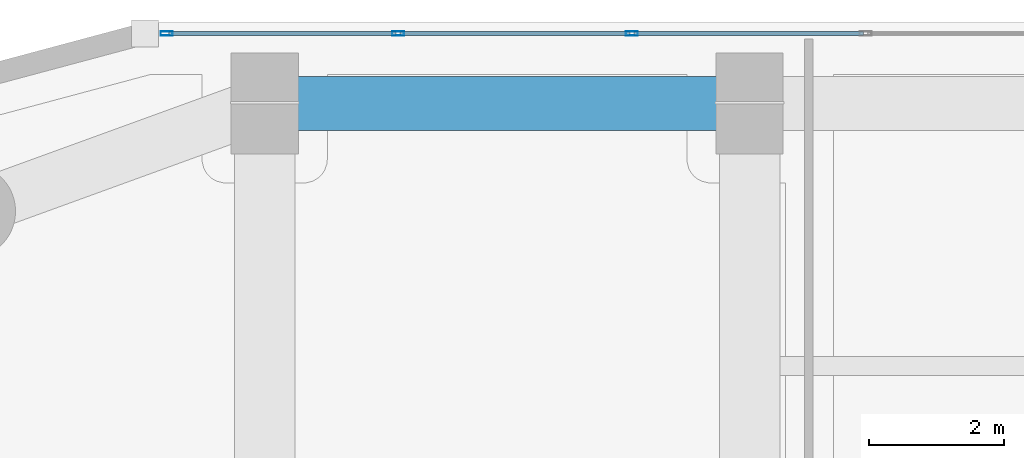
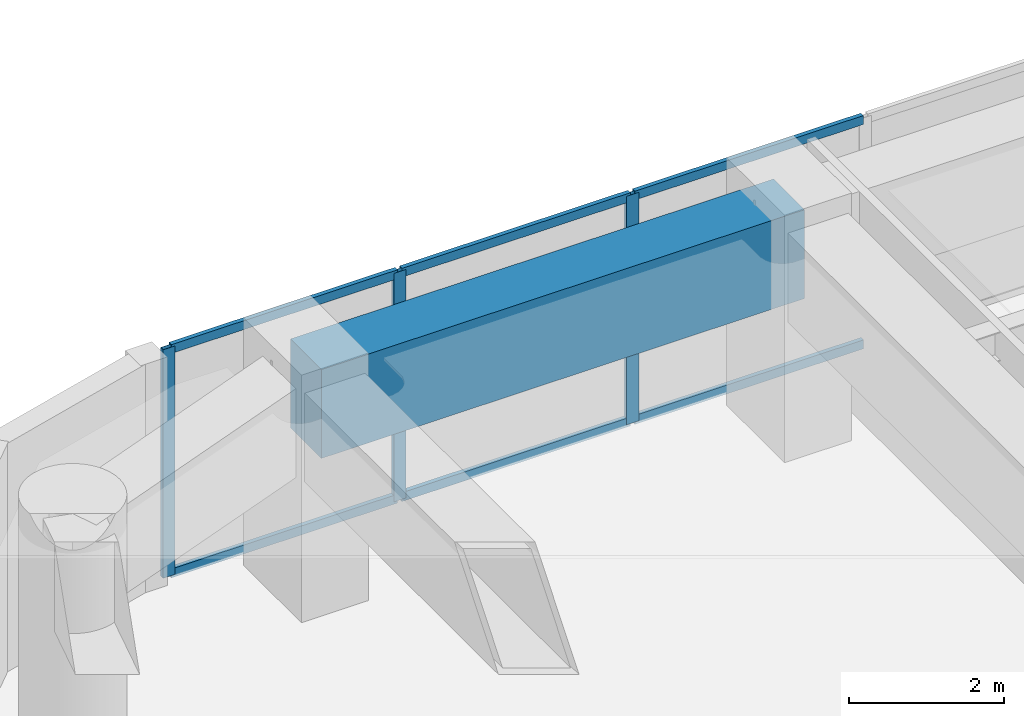
# One storey, part 16 of 28: 9 members, 1 beam, 1 element without a shape of its own.
"""IFC4 building model written with IfcOpenShell, lengths in metres."""

from ifc_helpers import new_model, si_unit, direction, frame, origin, origin_2d, place, context, subcontext, project, spatial, rectangle, hollow_rectangle, extrude, material, layer, layer_set, material_profile, profile_set, type_object, element, aggregate, save


model = new_model("IFC4")

# Units and contexts
model_context = context("Model", 3, precision=1e-05, world=origin(), true_north=direction((0.0, 1.0)))
body_context = subcontext(model_context, "Body", "Model", "MODEL_VIEW")
ifc_project = project(units=[si_unit("LENGTHUNIT", "METRE"), si_unit("AREAUNIT", "SQUARE_METRE"), si_unit("VOLUMEUNIT", "CUBIC_METRE"), si_unit("PLANEANGLEUNIT", "RADIAN"), si_unit("MASSUNIT", "GRAM", prefix="KILO")], contexts=[model_context])

# Site, building, storey
site_placement = place(None, origin())
site = spatial("IfcSite", under=ifc_project, at=site_placement, CompositionType="ELEMENT")
building_placement = place(site_placement, origin())
building = spatial("IfcBuilding", under=site, at=building_placement, Name="Kiyonajd Concourse Tower", CompositionType="ELEMENT")
storey_placement = place(building_placement, frame((0.0, 0.0, 76.800048828125)))
storey = spatial("IfcBuildingStorey", under=building, at=storey_placement, Name="L20", CompositionType="ELEMENT", Elevation=76.800048828125)

# Beam
ifc_material_1 = material(Name="Concrete C60/75", Category="concrete")
ifc_material_profile_1 = material_profile(ifc_material_1, rectangle(XDim=0.800048828125, YDim=1.39990234375, at=origin_2d()), Name="RCBM-800x1400")
ifc_profile_set_1 = profile_set([ifc_material_profile_1], Name="Concrete C60/75")
beam_type = type_object("IfcBeamType", Name="BM-XFER-RC", PredefinedType="BEAM", material=ifc_profile_set_1)
beam_placement = place(storey_placement, frame((32.39990234375, 61.199951171875, 2.89990234375), z_axis=(-1.0, 0.0, 0.0), x_axis=(0.0, -1.0, 0.0)))
element("IfcBeam", 1, at=beam_placement, inside=storey, type_object=beam_type, Name="L20 Perimeter Bundled Tube Spandrel", PredefinedType="BEAM", context=body_context, shape_type="SweptSolid", body=[
    extrude(rectangle(XDim=0.800048828125, YDim=1.39990234375, at=origin_2d()), origin(), (0.0, 0.0, 1.0), 7.199951171875),
])

# Curtain wall, members
ifc_material_2 = material(Name="Thermally Broken Anodised Aluminium", Category="aluminium")
ifc_layer = layer(ifc_material_2, 0.179931640625)
ifc_layer_set = layer_set([ifc_layer], Name="Thermally Broken Anodised Aluminium")
curtain_wall_type = type_object("IfcCurtainWallType", Name="CW-SYS-02", PredefinedType="NOTDEFINED", material=ifc_layer_set)
curtain_wall_placement = place(storey_placement, origin())
curtain_wall = element("IfcCurtainWall", 2, at=curtain_wall_placement, inside=storey, type_object=curtain_wall_type, Name="L20 Unitised Curtain Wall CW2", PredefinedType="NOTDEFINED")
ifc_material_profile_2 = material_profile(ifc_material_2, hollow_rectangle(XDim=0.06494140625, YDim=0.179931640625, WallThickness=0.00390625, at=origin_2d()), Name="MULL-65x180")
ifc_profile_set_2 = profile_set([ifc_material_profile_2], Name="Thermally Broken Anodised Aluminium")
member_type_1 = type_object("IfcMemberType", Name="MB-CW-MULL1", PredefinedType="MULLION", material=ifc_profile_set_2)
member_1_placement = place(storey_placement, frame((23.74365234375, 62.239990234375, 0.0), z_axis=(0.0, 0.0, 1.0), x_axis=(0.0, 1.0, 0.0)))
member_1 = element("IfcMember", 3, at=member_1_placement, type_object=member_type_1, Name="CW2 mullion 1", PredefinedType="MULLION", context=body_context, shape_type="SweptSolid", body=[
    extrude(hollow_rectangle(XDim=0.06494140625, YDim=0.179931640625, WallThickness=0.00390625, at=origin_2d()), origin(), (0.0, 0.0, 1.0), 3.599853515625),
])
member_2_placement = place(storey_placement, frame((27.181884765625, 62.239990234375, 0.0), z_axis=(0.0, 0.0, 1.0), x_axis=(0.0, 1.0, 0.0)))
member_2 = element("IfcMember", 4, at=member_2_placement, type_object=member_type_1, Name="CW2 mullion 2", PredefinedType="MULLION", context=body_context, shape_type="SweptSolid", body=[
    extrude(hollow_rectangle(XDim=0.06494140625, YDim=0.179931640625, WallThickness=0.00390625, at=origin_2d()), origin(), (0.0, 0.0, 1.0), 3.599853515625),
])
member_3_placement = place(storey_placement, frame((30.652587890625, 62.239990234375, 0.0), z_axis=(0.0, 0.0, 1.0), x_axis=(0.0, 1.0, 0.0)))
member_3 = element("IfcMember", 5, at=member_3_placement, type_object=member_type_1, Name="CW2 mullion 3", PredefinedType="MULLION", context=body_context, shape_type="SweptSolid", body=[
    extrude(hollow_rectangle(XDim=0.06494140625, YDim=0.179931640625, WallThickness=0.00390625, at=origin_2d()), origin(), (0.0, 0.0, 1.0), 3.599853515625),
])
ifc_material_profile_3 = material_profile(ifc_material_2, hollow_rectangle(XDim=0.06494140625, YDim=0.139892578125, WallThickness=0.00390625, at=origin_2d()), Name="TRAN-65x140")
ifc_profile_set_3 = profile_set([ifc_material_profile_3], Name="Thermally Broken Anodised Aluminium")
member_type_2 = type_object("IfcMemberType", Name="MB-CW-TRAN1", PredefinedType="USERDEFINED", material=ifc_profile_set_3)
member_4_placement = place(storey_placement, frame((23.776123046875, 62.239990234375, 0.032470703125), z_axis=(1.0, 0.0, 0.0), x_axis=(0.0, 1.0, 0.0)))
member_4 = element("IfcMember", 6, at=member_4_placement, type_object=member_type_2, Name="CW2 transom 1.1", ObjectType="TRANSOM", PredefinedType="USERDEFINED", context=body_context, shape_type="SweptSolid", body=[
    extrude(hollow_rectangle(XDim=0.06494140625, YDim=0.139892578125, WallThickness=0.00390625, at=origin_2d()), origin(), (0.0, 0.0, 1.0), 3.373291015625),
])
member_5_placement = place(storey_placement, frame((23.776123046875, 62.239990234375, 3.5673828125), z_axis=(1.0, 0.0, 0.0), x_axis=(0.0, 1.0, 0.0)))
member_5 = element("IfcMember", 7, at=member_5_placement, type_object=member_type_2, Name="CW2 transom 1.2", ObjectType="TRANSOM", PredefinedType="USERDEFINED", context=body_context, shape_type="SweptSolid", body=[
    extrude(hollow_rectangle(XDim=0.06494140625, YDim=0.139892578125, WallThickness=0.00390625, at=origin_2d()), origin(), (0.0, 0.0, 1.0), 3.373291015625),
])
member_6_placement = place(storey_placement, frame((27.21435546875, 62.239990234375, 0.032470703125), z_axis=(1.0, 0.0, 0.0), x_axis=(0.0, 1.0, 0.0)))
member_6 = element("IfcMember", 8, at=member_6_placement, type_object=member_type_2, Name="CW2 transom 2.1", ObjectType="TRANSOM", PredefinedType="USERDEFINED", context=body_context, shape_type="SweptSolid", body=[
    extrude(hollow_rectangle(XDim=0.06494140625, YDim=0.139892578125, WallThickness=0.00390625, at=origin_2d()), origin(), (0.0, 0.0, 1.0), 3.40576171875),
])
member_7_placement = place(storey_placement, frame((27.21435546875, 62.239990234375, 3.5673828125), z_axis=(1.0, 0.0, 0.0), x_axis=(0.0, 1.0, 0.0)))
member_7 = element("IfcMember", 9, at=member_7_placement, type_object=member_type_2, Name="CW2 transom 2.2", ObjectType="TRANSOM", PredefinedType="USERDEFINED", context=body_context, shape_type="SweptSolid", body=[
    extrude(hollow_rectangle(XDim=0.06494140625, YDim=0.139892578125, WallThickness=0.00390625, at=origin_2d()), origin(), (0.0, 0.0, 1.0), 3.40576171875),
])
member_8_placement = place(storey_placement, frame((30.68505859375, 62.239990234375, 0.032470703125), z_axis=(1.0, 0.0, 0.0), x_axis=(0.0, 1.0, 0.0)))
member_8 = element("IfcMember", 10, at=member_8_placement, type_object=member_type_2, Name="CW2 transom 3.1", ObjectType="TRANSOM", PredefinedType="USERDEFINED", context=body_context, shape_type="SweptSolid", body=[
    extrude(hollow_rectangle(XDim=0.06494140625, YDim=0.139892578125, WallThickness=0.00390625, at=origin_2d()), origin(), (0.0, 0.0, 1.0), 3.40576171875),
])
member_9_placement = place(storey_placement, frame((30.68505859375, 62.239990234375, 3.5673828125), z_axis=(1.0, 0.0, 0.0), x_axis=(0.0, 1.0, 0.0)))
member_9 = element("IfcMember", 11, at=member_9_placement, type_object=member_type_2, Name="CW2 transom 3.2", ObjectType="TRANSOM", PredefinedType="USERDEFINED", context=body_context, shape_type="SweptSolid", body=[
    extrude(hollow_rectangle(XDim=0.06494140625, YDim=0.139892578125, WallThickness=0.00390625, at=origin_2d()), origin(), (0.0, 0.0, 1.0), 3.40576171875),
])
aggregate(curtain_wall, [member_1, member_2, member_3, member_4, member_5, member_6, member_7, member_8, member_9])

save(model, "model.ifc")
